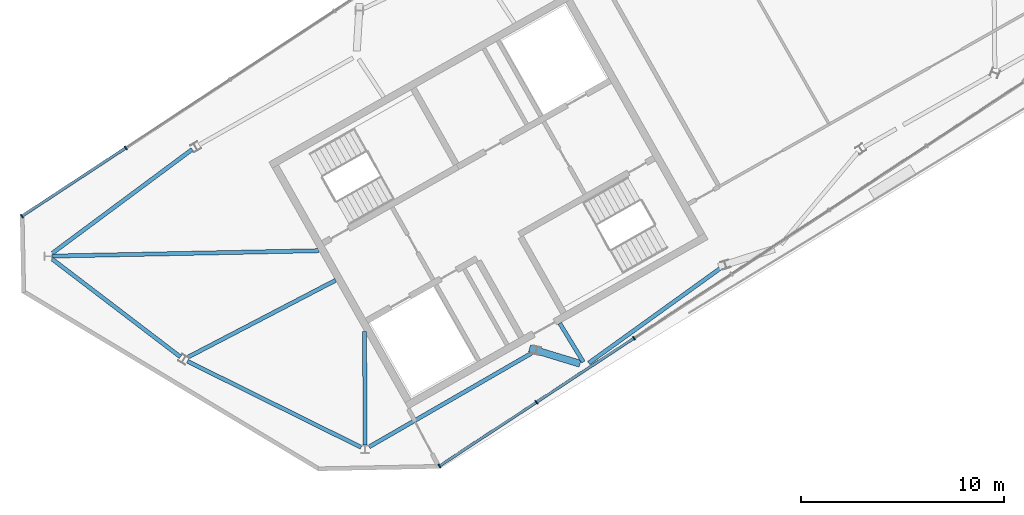
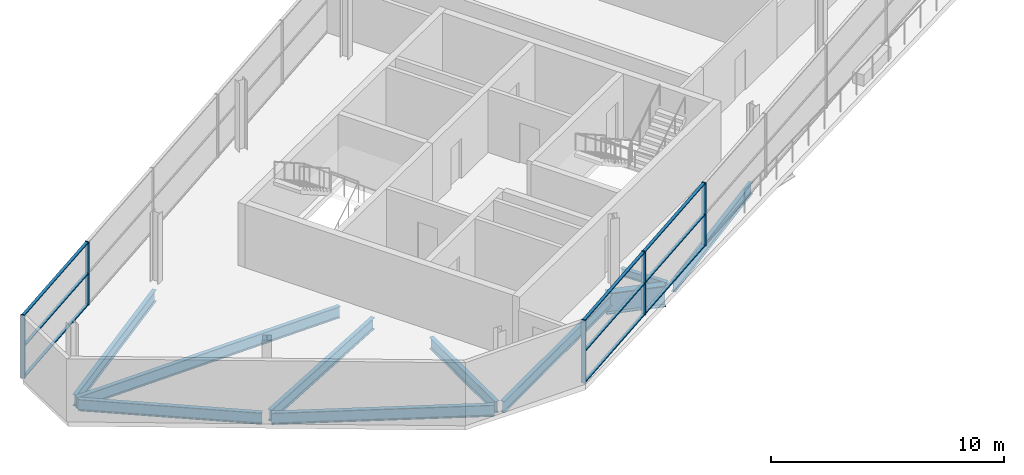
# One storey, part 3 of 10: 14 members, 10 beams, 2 elements without a shape of their own.
"""IFC4 building model written with IfcOpenShell, lengths in metres."""

from ifc_helpers import new_model, si_unit, direction, frame, origin, origin_2d, place, context, subcontext, project, spatial, rectangle, i_section, extrude, material, material_profile, profile_set, type_object, element, aggregate, save


model = new_model("IFC4")

# Units and contexts
model_context = context("Model", 3, precision=1e-05, world=origin(), true_north=direction((0.0, 1.0)))
body_context = subcontext(model_context, "Body", "Model", "MODEL_VIEW")
ifc_project = project(units=[si_unit("LENGTHUNIT", "METRE"), si_unit("AREAUNIT", "SQUARE_METRE"), si_unit("VOLUMEUNIT", "CUBIC_METRE"), si_unit("PLANEANGLEUNIT", "RADIAN"), si_unit("MASSUNIT", "GRAM", prefix="KILO")], contexts=[model_context])

# Site, building, storey
site_placement = place(None, origin())
site = spatial("IfcSite", under=ifc_project, at=site_placement, CompositionType="ELEMENT")
building_placement = place(site_placement, origin())
building = spatial("IfcBuilding", under=site, at=building_placement, Name="Binnacle Exchange Tower", CompositionType="ELEMENT")
storey_placement = place(building_placement, frame((0.0, 0.0, 354.10009765625)))
storey = spatial("IfcBuildingStorey", under=building, at=storey_placement, Name="L81", CompositionType="ELEMENT", Elevation=354.10009765625)

# Curtain wall, members
ifc_material_1 = material(Name="Bronze anodised aluminium frame", Category="aluminium")
curtain_wall_type = type_object("IfcCurtainWallType", Name="External wall - curtain wall crown tiers", PredefinedType="NOTDEFINED", material=ifc_material_1)
curtain_wall_1_placement = place(storey_placement, origin())
curtain_wall_1 = element("IfcCurtainWall", 1, at=curtain_wall_1_placement, inside=storey, type_object=curtain_wall_type, Name="External wall curtain wall CW5-C203 L81", PredefinedType="NOTDEFINED")
ifc_material_profile_1 = material_profile(ifc_material_1, rectangle(XDim=0.199951171875, YDim=0.06005859375, at=origin_2d()), Name="AL 60x200")
ifc_profile_set_1 = profile_set([ifc_material_profile_1], Name="Bronze anodised aluminium frame")
member_type_1 = type_object("IfcMemberType", Name="CW5 MULLION 60x200", PredefinedType="MULLION", material=ifc_profile_set_1)
member_1_placement = place(storey_placement, frame((-53.673095703125, 42.369873046875, 0.0), z_axis=(0.0, 0.0, 1.0), x_axis=(0.549310297171, -0.835618452059, 0.0)))
member_1 = element("IfcMember", 2, at=member_1_placement, type_object=member_type_1, Name="CW5-C203 mullion 9", PredefinedType="MULLION", context=body_context, shape_type="SweptSolid", body=[
    extrude(rectangle(XDim=0.199951171875, YDim=0.06005859375, at=origin_2d()), origin(), (0.0, 0.0, 1.0), 3.2998046875),
])
member_2_placement = place(storey_placement, frame((-58.79931640625, 39.000244140625, 0.0), z_axis=(0.0, 0.0, 1.0), x_axis=(0.549310297171, -0.835618452059, 0.0)))
member_2 = element("IfcMember", 3, at=member_2_placement, type_object=member_type_1, Name="CW5-C203 mullion 10", PredefinedType="MULLION", context=body_context, shape_type="SweptSolid", body=[
    extrude(rectangle(XDim=0.199951171875, YDim=0.06005859375, at=origin_2d()), origin(), (0.0, 0.0, 1.0), 3.2998046875),
])

curtain_wall_2_placement = place(storey_placement, origin())
curtain_wall_2 = element("IfcCurtainWall", 4, at=curtain_wall_2_placement, inside=storey, type_object=curtain_wall_type, Name="External wall curtain wall CW5-C207 L81", PredefinedType="NOTDEFINED")
member_3_placement = place(storey_placement, frame((-38.185302734375, 26.6669921875, 0.0), z_axis=(0.0, 0.0, 1.0), x_axis=(-0.549310297171, 0.835618452059, 0.0)))
member_3 = element("IfcMember", 5, at=member_3_placement, type_object=member_type_1, Name="CW5-C207 mullion 1", PredefinedType="MULLION", context=body_context, shape_type="SweptSolid", body=[
    extrude(rectangle(XDim=0.199951171875, YDim=0.06005859375, at=origin_2d()), origin(), (0.0, 0.0, 1.0), 3.2998046875),
])
member_4_placement = place(storey_placement, frame((-33.394287109375, 29.816162109375, 0.0), z_axis=(0.0, 0.0, 1.0), x_axis=(-0.549310297171, 0.835618452059, 0.0)))
member_4 = element("IfcMember", 6, at=member_4_placement, type_object=member_type_1, Name="CW5-C207 mullion 2", PredefinedType="MULLION", context=body_context, shape_type="SweptSolid", body=[
    extrude(rectangle(XDim=0.199951171875, YDim=0.06005859375, at=origin_2d()), origin(), (0.0, 0.0, 1.0), 3.2998046875),
])
member_5_placement = place(storey_placement, frame((-28.578369140625, 32.98193359375, 0.0), z_axis=(0.0, 0.0, 1.0), x_axis=(-0.549310297171, 0.835618452059, 0.0)))
member_5 = element("IfcMember", 7, at=member_5_placement, type_object=member_type_1, Name="CW5-C207 mullion 3", PredefinedType="MULLION", context=body_context, shape_type="SweptSolid", body=[
    extrude(rectangle(XDim=0.199951171875, YDim=0.06005859375, at=origin_2d()), origin(), (0.0, 0.0, 1.0), 3.2998046875),
])

# Member
ifc_material_profile_2 = material_profile(ifc_material_1, rectangle(XDim=0.139892578125, YDim=0.050048828125, at=origin_2d()), Name="AL 140x50")
ifc_profile_set_2 = profile_set([ifc_material_profile_2], Name="Bronze anodised aluminium frame")
member_type_2 = type_object("IfcMemberType", Name="CW5 TRANSOM 50x140", PredefinedType="USERDEFINED", material=ifc_profile_set_2)
member_6_placement = place(storey_placement, frame((-53.6982421875, 42.353515625, 0.02490234375), z_axis=(-0.835606914005, -0.549327848618, 0.0), x_axis=(0.549327848618, -0.835606914005, 0.0)))
member_6 = element("IfcMember", 8, at=member_6_placement, type_object=member_type_2, Name="CW5-C203 transom 9.1", ObjectType="TRANSOM", PredefinedType="USERDEFINED", context=body_context, shape_type="SweptSolid", body=[
    extrude(rectangle(XDim=0.139892578125, YDim=0.050048828125, at=origin_2d()), origin(), (0.0, 0.0, 1.0), 6.074462890625),
])

member_7_placement = place(storey_placement, frame((-53.6982421875, 42.353515625, 1.64990234375), z_axis=(-0.835606914005, -0.549327848618, 0.0), x_axis=(0.549327848618, -0.835606914005, 0.0)))
member_7 = element("IfcMember", 9, at=member_7_placement, type_object=member_type_2, Name="CW5-C203 transom 9.2", ObjectType="TRANSOM", PredefinedType="USERDEFINED", context=body_context, shape_type="SweptSolid", body=[
    extrude(rectangle(XDim=0.139892578125, YDim=0.050048828125, at=origin_2d()), origin(), (0.0, 0.0, 1.0), 6.074462890625),
])

member_8_placement = place(storey_placement, frame((-53.6982421875, 42.353515625, 3.27490234375), z_axis=(-0.835606914005, -0.549327848618, 0.0), x_axis=(0.549327848618, -0.835606914005, 0.0)))
member_8 = element("IfcMember", 10, at=member_8_placement, type_object=member_type_2, Name="CW5-C203 transom 9.3", ObjectType="TRANSOM", PredefinedType="USERDEFINED", context=body_context, shape_type="SweptSolid", body=[
    extrude(rectangle(XDim=0.139892578125, YDim=0.050048828125, at=origin_2d()), origin(), (0.0, 0.0, 1.0), 6.074462890625),
])

aggregate(curtain_wall_1, [member_1, member_2, member_6, member_7, member_8])

member_9_placement = place(storey_placement, frame((-38.16015625, 26.683349609375, 0.02490234375), z_axis=(0.835614618115, 0.549316129377, 0.0), x_axis=(-0.549316129377, 0.835614618115, 0.0)))
member_9 = element("IfcMember", 11, at=member_9_placement, type_object=member_type_2, Name="CW5-C207 transom 1.1", ObjectType="TRANSOM", PredefinedType="USERDEFINED", context=body_context, shape_type="SweptSolid", body=[
    extrude(rectangle(XDim=0.139892578125, YDim=0.050048828125, at=origin_2d()), origin(), (0.0, 0.0, 1.0), 5.67333984375),
])

member_10_placement = place(storey_placement, frame((-38.16015625, 26.683349609375, 1.64990234375), z_axis=(0.835614618115, 0.549316129377, 0.0), x_axis=(-0.549316129377, 0.835614618115, 0.0)))
member_10 = element("IfcMember", 12, at=member_10_placement, type_object=member_type_2, Name="CW5-C207 transom 1.2", ObjectType="TRANSOM", PredefinedType="USERDEFINED", context=body_context, shape_type="SweptSolid", body=[
    extrude(rectangle(XDim=0.139892578125, YDim=0.050048828125, at=origin_2d()), origin(), (0.0, 0.0, 1.0), 5.67333984375),
])

member_11_placement = place(storey_placement, frame((-38.16015625, 26.683349609375, 3.27490234375), z_axis=(0.835614618115, 0.549316129377, 0.0), x_axis=(-0.549316129377, 0.835614618115, 0.0)))
member_11 = element("IfcMember", 13, at=member_11_placement, type_object=member_type_2, Name="CW5-C207 transom 1.3", ObjectType="TRANSOM", PredefinedType="USERDEFINED", context=body_context, shape_type="SweptSolid", body=[
    extrude(rectangle(XDim=0.139892578125, YDim=0.050048828125, at=origin_2d()), origin(), (0.0, 0.0, 1.0), 5.67333984375),
])

member_12_placement = place(storey_placement, frame((-33.369384765625, 29.832763671875, 0.02490234375), z_axis=(0.835628570854, 0.549294904011, 0.0), x_axis=(-0.549294904011, 0.835628570854, 0.0)))
member_12 = element("IfcMember", 14, at=member_12_placement, type_object=member_type_2, Name="CW5-C207 transom 2.1", ObjectType="TRANSOM", PredefinedType="USERDEFINED", context=body_context, shape_type="SweptSolid", body=[
    extrude(rectangle(XDim=0.139892578125, YDim=0.050048828125, at=origin_2d()), origin(), (0.0, 0.0, 1.0), 5.703369140625),
])

member_13_placement = place(storey_placement, frame((-33.369384765625, 29.832763671875, 1.64990234375), z_axis=(0.835628570854, 0.549294904011, 0.0), x_axis=(-0.549294904011, 0.835628570854, 0.0)))
member_13 = element("IfcMember", 15, at=member_13_placement, type_object=member_type_2, Name="CW5-C207 transom 2.2", ObjectType="TRANSOM", PredefinedType="USERDEFINED", context=body_context, shape_type="SweptSolid", body=[
    extrude(rectangle(XDim=0.139892578125, YDim=0.050048828125, at=origin_2d()), origin(), (0.0, 0.0, 1.0), 5.703369140625),
])

member_14_placement = place(storey_placement, frame((-33.369384765625, 29.832763671875, 3.27490234375), z_axis=(0.835628570854, 0.549294904011, 0.0), x_axis=(-0.549294904011, 0.835628570854, 0.0)))
member_14 = element("IfcMember", 16, at=member_14_placement, type_object=member_type_2, Name="CW5-C207 transom 2.3", ObjectType="TRANSOM", PredefinedType="USERDEFINED", context=body_context, shape_type="SweptSolid", body=[
    extrude(rectangle(XDim=0.139892578125, YDim=0.050048828125, at=origin_2d()), origin(), (0.0, 0.0, 1.0), 5.703369140625),
])

aggregate(curtain_wall_2, [member_3, member_4, member_5, member_9, member_10, member_11, member_12, member_13, member_14])

# Beams
ifc_material_2 = material(Name="Steel S355 (SHN355)", Category="steel")
ifc_material_profile_3 = material_profile(ifc_material_2, i_section(OverallWidth=0.199951171875, OverallDepth=0.60009765625, WebThickness=0.010986328125, FlangeThickness=0.01708984375, FilletRadius=0.02197265625, at=origin_2d()), Name="H 600x200x11x17")
ifc_profile_set_3 = profile_set([ifc_material_profile_3], Name="Steel S355 (SHN355)")
beam_type_1 = type_object("IfcBeamType", Name="Edge girder H 600x200x11x17 Steel S355 (SHN355)", PredefinedType="SPANDREL", material=ifc_profile_set_3)
beam_1_placement = place(storey_placement, frame((-57.291015625, 37.177490234375, -0.60009765625), z_axis=(0.802897228566, 0.596117471947, 0.0), x_axis=(-0.596117471947, 0.802897228566, 0.0)))
element("IfcBeam", 17, at=beam_1_placement, inside=storey, type_object=beam_type_1, Name="S:BM:edge:L81:017", PredefinedType="SPANDREL", context=body_context, shape_type="SweptSolid", body=[
    extrude(i_section(OverallWidth=0.199951171875, OverallDepth=0.60009765625, WebThickness=0.010986328125, FlangeThickness=0.01708984375, FilletRadius=0.02197265625, at=origin_2d()), origin(), (0.0, 0.0, 1.0), 8.59765625),
])
beam_2_placement = place(storey_placement, frame((-50.971923828125, 32.052978515625, -0.60009765625), z_axis=(-0.795084866739, 0.606498190173, 0.0), x_axis=(-0.606498190173, -0.795084866739, 0.0)))
element("IfcBeam", 18, at=beam_2_placement, inside=storey, type_object=beam_type_1, Name="S:BM:edge:L81:018", PredefinedType="SPANDREL", context=body_context, shape_type="SweptSolid", body=[
    extrude(i_section(OverallWidth=0.199951171875, OverallDepth=0.60009765625, WebThickness=0.010986328125, FlangeThickness=0.01708984375, FilletRadius=0.02197265625, at=origin_2d()), origin(), (0.0, 0.0, 1.0), 7.95263671875),
])
beam_3_placement = place(storey_placement, frame((-42.056396484375, 27.59326171875, -0.60009765625), z_axis=(-0.8960639995, 0.443924890944, 0.0), x_axis=(-0.443924890944, -0.8960639995, 0.0)))
element("IfcBeam", 19, at=beam_3_placement, inside=storey, type_object=beam_type_1, Name="S:BM:edge:L81:020", PredefinedType="SPANDREL", context=body_context, shape_type="SweptSolid", body=[
    extrude(i_section(OverallWidth=0.199951171875, OverallDepth=0.60009765625, WebThickness=0.010986328125, FlangeThickness=0.01708984375, FilletRadius=0.02197265625, at=origin_2d()), origin(), (0.0, 0.0, 1.0), 9.5703125),
])
beam_4_placement = place(storey_placement, frame((-33.639892578125, 32.235107421875, -0.60009765625), z_axis=(-0.866222915355, -0.499657743774, 0.0), x_axis=(0.499657743774, -0.866222915355, 0.0)))
element("IfcBeam", 20, at=beam_4_placement, inside=storey, type_object=beam_type_1, Name="S:BM:edge:L81:022", PredefinedType="SPANDREL", context=body_context, shape_type="SweptSolid", body=[
    extrude(i_section(OverallWidth=0.199951171875, OverallDepth=0.60009765625, WebThickness=0.010986328125, FlangeThickness=0.01708984375, FilletRadius=0.02197265625, at=origin_2d()), origin(), (0.0, 0.0, 1.0), 9.25439453125),
])
beam_5_placement = place(storey_placement, frame((-24.2353515625, 36.48486328125, -0.60009765625), z_axis=(-0.811721187098, -0.584045130462, 0.0), x_axis=(0.584045130462, -0.811721187098, 0.0)))
element("IfcBeam", 21, at=beam_5_placement, inside=storey, type_object=beam_type_1, Name="S:BM:edge:L81:023", PredefinedType="SPANDREL", context=body_context, shape_type="SweptSolid", body=[
    extrude(i_section(OverallWidth=0.199951171875, OverallDepth=0.60009765625, WebThickness=0.010986328125, FlangeThickness=0.01708984375, FilletRadius=0.02197265625, at=origin_2d()), origin(), (0.0, 0.0, 1.0), 8.1025390625),
])
ifc_material_profile_4 = material_profile(ifc_material_2, i_section(OverallWidth=0.199951171875, OverallDepth=0.39990234375, WebThickness=0.008056640625, FlangeThickness=0.012939453125, FilletRadius=0.01611328125, at=origin_2d()), Name="H 400x200x8x13")
ifc_profile_set_4 = profile_set([ifc_material_profile_4], Name="Steel S355 (SHN355)")
beam_type_2 = type_object("IfcBeamType", Name="Floor beam H 400x200x8x13 Steel S355 (SHN355)", PredefinedType="BEAM", material=ifc_profile_set_4)
beam_6_placement = place(storey_placement, frame((-31.079833984375, 31.80615234375, -0.5), z_axis=(-0.521145172742, 0.853468047983, 0.0), x_axis=(-0.853468047983, -0.521145172742, 0.0)))
element("IfcBeam", 22, at=beam_6_placement, inside=storey, type_object=beam_type_2, Name="S:BM:cross:L81:033", PredefinedType="BEAM", context=body_context, shape_type="SweptSolid", body=[
    extrude(i_section(OverallWidth=0.199951171875, OverallDepth=0.39990234375, WebThickness=0.008056640625, FlangeThickness=0.012939453125, FilletRadius=0.01611328125, at=origin_2d()), origin(), (0.0, 0.0, 1.0), 2.235595703125),
])
ifc_material_profile_5 = material_profile(ifc_material_2, i_section(OverallWidth=0.199951171875, OverallDepth=0.60009765625, WebThickness=0.010986328125, FlangeThickness=0.01708984375, FilletRadius=0.02197265625, at=origin_2d()), Name="H 600x200x11x17")
ifc_profile_set_5 = profile_set([ifc_material_profile_5], Name="Steel S355 (SHN355)")
beam_type_3 = type_object("IfcBeamType", Name="Floor beam H 600x200x11x17 Steel S355 (SHN355)", PredefinedType="BEAM", material=ifc_profile_set_5)
beam_7_placement = place(storey_placement, frame((-57.29296875, 37.031494140625, -0.60009765625), z_axis=(0.999795225284, 0.020236291618, 0.0), x_axis=(-0.020236291618, 0.999795225284, 0.0)))
element("IfcBeam", 23, at=beam_7_placement, inside=storey, type_object=beam_type_3, Name="S:BM:cross:L81:029", PredefinedType="BEAM", context=body_context, shape_type="SweptSolid", body=[
    extrude(i_section(OverallWidth=0.199951171875, OverallDepth=0.60009765625, WebThickness=0.010986328125, FlangeThickness=0.01708984375, FilletRadius=0.02197265625, at=origin_2d()), origin(), (0.0, 0.0, 1.0), 13.162353515625),
])
beam_8_placement = place(storey_placement, frame((-41.8583984375, 27.69482421875, -0.60009765625), z_axis=(-0.003563645342, 0.999993650196, 0.0), x_axis=(-0.999993650196, -0.003563645342, 0.0)))
element("IfcBeam", 24, at=beam_8_placement, inside=storey, type_object=beam_type_3, Name="S:BM:cross:L81:031", PredefinedType="BEAM", context=body_context, shape_type="SweptSolid", body=[
    extrude(i_section(OverallWidth=0.199951171875, OverallDepth=0.60009765625, WebThickness=0.010986328125, FlangeThickness=0.01708984375, FilletRadius=0.02197265625, at=origin_2d()), origin(), (0.0, 0.0, 1.0), 5.61767578125),
])
ifc_material_profile_6 = material_profile(ifc_material_2, i_section(OverallWidth=0.199951171875, OverallDepth=0.60009765625, WebThickness=0.010986328125, FlangeThickness=0.01708984375, FilletRadius=0.02197265625, at=origin_2d()), Name="H 600x200x11x17")
ifc_profile_set_6 = profile_set([ifc_material_profile_6], Name="Steel S355 (SHN355)")
beam_type_4 = type_object("IfcBeamType", Name="Spine girder H 600x200x11x17 Steel S355 (SHN355)", PredefinedType="BEAM", material=ifc_profile_set_6)
beam_9_placement = place(storey_placement, frame((-50.60400390625, 32.039306640625, -0.60009765625), z_axis=(0.886982470593, 0.461803093168, 0.0), x_axis=(-0.461803093168, 0.886982470593, 0.0)))
element("IfcBeam", 25, at=beam_9_placement, inside=storey, type_object=beam_type_4, Name="S:BM:spine:L81:009", PredefinedType="BEAM", context=body_context, shape_type="SweptSolid", body=[
    extrude(i_section(OverallWidth=0.199951171875, OverallDepth=0.60009765625, WebThickness=0.010986328125, FlangeThickness=0.01708984375, FilletRadius=0.02197265625, at=origin_2d()), origin(), (0.0, 0.0, 1.0), 8.22607421875),
])
ifc_material_3 = material(Name="Steel S355 (SM355)", Category="steel")
ifc_material_profile_7 = material_profile(ifc_material_3, i_section(OverallWidth=0.35009765625, OverallDepth=1.10009765625, WebThickness=0.02001953125, FlangeThickness=0.035888671875, at=origin_2d()), Name="BH 1100x350x20x36")
ifc_profile_set_7 = profile_set([ifc_material_profile_7], Name="Steel S355 (SM355)")
beam_type_5 = type_object("IfcBeamType", Name="Transfer girder BH 1100x350x20x36 Steel S355 (SM355)", PredefinedType="BEAM", material=ifc_profile_set_7)
beam_10_placement = place(storey_placement, frame((-31.239501953125, 31.7158203125, -0.85009765625), z_axis=(-0.956633060975, 0.291295703107, 0.0), x_axis=(-0.291295703107, -0.956633060975, 0.0)))
element("IfcBeam", 26, at=beam_10_placement, inside=storey, type_object=beam_type_5, Name="S:BM:transfer:L81:004", PredefinedType="BEAM", context=body_context, shape_type="SweptSolid", body=[
    extrude(i_section(OverallWidth=0.35009765625, OverallDepth=1.10009765625, WebThickness=0.02001953125, FlangeThickness=0.035888671875, at=origin_2d()), origin(), (0.0, 0.0, 1.0), 2.608154296875),
])

save(model, "model.ifc")
